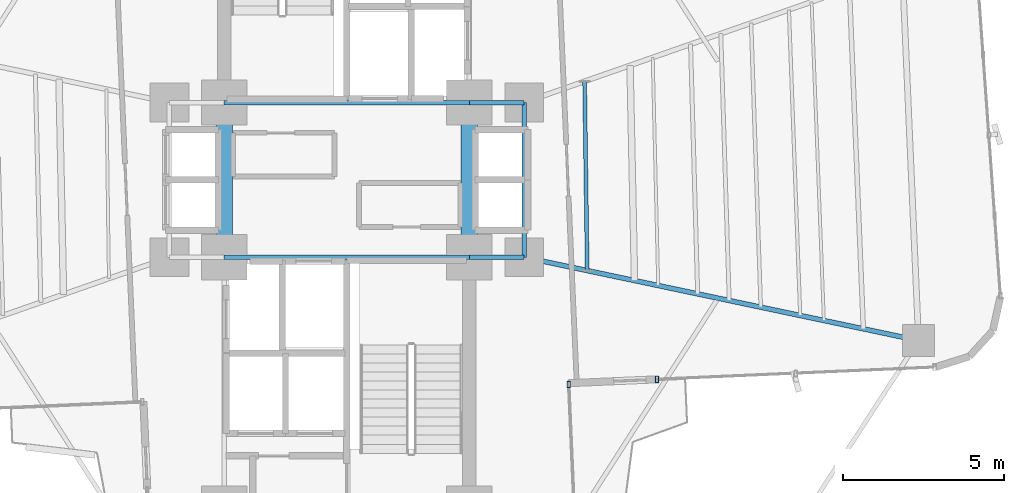
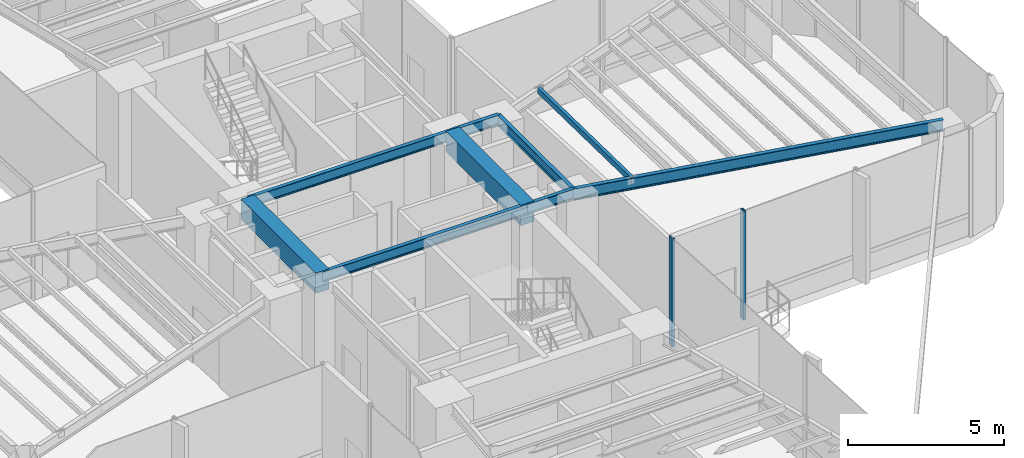
# One storey, part 6 of 21: 9 beams, 2 members, 2 elements without a shape of their own.
"""IFC4 building model written with IfcOpenShell, lengths in metres."""

from ifc_helpers import new_model, si_unit, direction, frame, origin, origin_2d, place, context, subcontext, project, spatial, rectangle, hollow_rectangle, i_section, extrude, source, transform, mapped, material, material_profile, profile_set, type_object, element, aggregate, save


model = new_model("IFC4")

# Units and contexts
model_context = context("Model", 3, precision=1e-05, world=origin(), true_north=direction((0.0, 1.0)))
body_context = subcontext(model_context, "Body", "Model", "MODEL_VIEW")
ifc_project = project(units=[si_unit("LENGTHUNIT", "METRE"), si_unit("AREAUNIT", "SQUARE_METRE"), si_unit("VOLUMEUNIT", "CUBIC_METRE"), si_unit("PLANEANGLEUNIT", "RADIAN"), si_unit("MASSUNIT", "GRAM", prefix="KILO")], contexts=[model_context])

# Site, building, storey
site_placement = place(None, origin())
site = spatial("IfcSite", under=ifc_project, at=site_placement, CompositionType="ELEMENT")
building_placement = place(site_placement, origin())
building = spatial("IfcBuilding", under=site, at=building_placement, Name="Sahyath Konkavel Grand Hotel", CompositionType="ELEMENT")
storey_placement = place(building_placement, frame((0.0, 0.0, 79.0)))
storey = spatial("IfcBuildingStorey", under=building, at=storey_placement, Name="L21", CompositionType="ELEMENT", Elevation=79.0)

# Beams
ifc_material_1 = material(Name="Steel E350", Category="steel")
ifc_material_profile_1 = material_profile(ifc_material_1, i_section(OverallWidth=0.139892578125, OverallDepth=0.39990234375, WebThickness=0.0087890625, FlangeThickness=0.01611328125, FilletRadius=0.013916015625, at=origin_2d()), Name="ISMB 400")
ifc_profile_set_1 = profile_set([ifc_material_profile_1], Name="Steel E350")
beam_type_1 = type_object("IfcBeamType", Name="BM-ISMB400", PredefinedType="BEAM", material=ifc_profile_set_1)
shared_shape_1 = source(origin(), body_context, "Body", "SweptSolid", [
    extrude(i_section(OverallWidth=0.139892578125, OverallDepth=0.39990234375, WebThickness=0.0087890625, FlangeThickness=0.01611328125, FilletRadius=0.013916015625, at=origin_2d()), origin(), (0.0, 0.0, 1.0), 7.60009765625),
])
for number, where, z_axis, x_axis, name in (
    (1, (-3.800048828125, 2.39990234375, 4.06005859375), (1.0, 0.0, 0.0), (0.0, 1.0, 0.0), "str:bm:L21:NC-S"),
    (2, (-3.800048828125, -2.39990234375, 4.06005859375), (1.0, 0.0, 0.0), (0.0, 1.0, 0.0), "str:bm:L21:SC-N"),
):
    element("IfcBeam", number, at=place(storey_placement, frame(where, z_axis=z_axis, x_axis=x_axis)), inside=storey, type_object=beam_type_1, Name=name, PredefinedType="BEAM", context=body_context, shape_type="MappedRepresentation", body=[
        mapped(shared_shape_1, transform((0.0, 0.0, 0.0), scale=1.0)),
    ])
shared_shape_2 = source(origin(), body_context, "Body", "SweptSolid", [
    extrude(i_section(OverallWidth=0.139892578125, OverallDepth=0.39990234375, WebThickness=0.0087890625, FlangeThickness=0.01611328125, FilletRadius=0.013916015625, at=origin_2d()), origin(), (0.0, 0.0, 1.0), 1.699951171875),
])
for number, where, z_axis, x_axis, name in (
    (3, (3.800048828125, 2.39990234375, 4.06005859375), (1.0, 0.0, 0.0), (0.0, 1.0, 0.0), "str:bm:L21:HB-NE"),
    (4, (3.800048828125, -2.39990234375, 4.06005859375), (1.0, 0.0, 0.0), (0.0, 1.0, 0.0), "str:bm:L21:HB-SE"),
):
    element("IfcBeam", number, at=place(storey_placement, frame(where, z_axis=z_axis, x_axis=x_axis)), inside=storey, type_object=beam_type_1, Name=name, PredefinedType="BEAM", context=body_context, shape_type="MappedRepresentation", body=[
        mapped(shared_shape_2, transform((0.0, 0.0, 0.0), scale=1.0)),
    ])
shared_shape_3 = source(origin(), body_context, "Body", "SweptSolid", [
    extrude(i_section(OverallWidth=0.139892578125, OverallDepth=0.39990234375, WebThickness=0.0087890625, FlangeThickness=0.01611328125, FilletRadius=0.013916015625, at=origin_2d()), origin(), (0.0, 0.0, 1.0), 4.7998046875),
])
beam_1_placement = place(storey_placement, frame((5.5, -2.39990234375, 4.06005859375), z_axis=(0.0, 1.0, 0.0), x_axis=(-1.0, 0.0, 0.0)))
element("IfcBeam", 5, at=beam_1_placement, inside=storey, type_object=beam_type_1, Name="str:bm:L21:HB-E", PredefinedType="BEAM", context=body_context, shape_type="MappedRepresentation", body=[
    mapped(shared_shape_3, transform((0.0, 0.0, 0.0), scale=1.0)),
])
ifc_material_2 = material(Name="Concrete C50/60", Category="concrete")
ifc_material_profile_2 = material_profile(ifc_material_2, rectangle(XDim=0.5, YDim=0.800048828125, at=origin_2d()), Name="RC 500x800")
ifc_profile_set_2 = profile_set([ifc_material_profile_2], Name="Concrete C50/60")
beam_type_2 = type_object("IfcBeamType", Name="BM-CB500x800", PredefinedType="LINTEL", material=ifc_profile_set_2)
shared_shape_4 = source(origin(), body_context, "Body", "SweptSolid", [
    extrude(rectangle(XDim=0.5, YDim=0.800048828125, at=origin_2d()), origin(), (0.0, 0.0, 1.0), 4.7998046875),
])
for number, where, z_axis, x_axis, name in (
    (6, (-3.800048828125, -2.39990234375, 3.860107421875), (0.0, 1.0, 0.0), (-1.0, 0.0, 0.0), "L21 Split-Core Coupling Beam West"),
    (7, (3.800048828125, -2.39990234375, 3.860107421875), (0.0, 1.0, 0.0), (-1.0, 0.0, 0.0), "L21 Split-Core Coupling Beam East"),
):
    element("IfcBeam", number, at=place(storey_placement, frame(where, z_axis=z_axis, x_axis=x_axis)), inside=storey, type_object=beam_type_2, Name=name, PredefinedType="LINTEL", context=body_context, shape_type="MappedRepresentation", body=[
        mapped(shared_shape_4, transform((0.0, 0.0, 0.0), scale=1.0)),
    ])
ifc_material_profile_3 = material_profile(ifc_material_1, i_section(OverallWidth=0.14990234375, OverallDepth=0.449951171875, WebThickness=0.009521484375, FlangeThickness=0.017333984375, FilletRadius=0.014892578125, at=origin_2d()), Name="ISMB 450")
ifc_profile_set_3 = profile_set([ifc_material_profile_3], Name="Steel E350")
beam_type_3 = type_object("IfcBeamType", Name="BM-ISMB450", PredefinedType="BEAM", material=ifc_profile_set_3)
shared_shape_5 = source(origin(), body_context, "Body", "SweptSolid", [
    extrude(i_section(OverallWidth=0.14990234375, OverallDepth=0.449951171875, WebThickness=0.009521484375, FlangeThickness=0.017333984375, FilletRadius=0.014892578125, at=origin_2d()), origin(), (0.0, 0.0, 1.0), 12.50341796875),
])
beam_2_placement = place(storey_placement, frame((5.5, -2.39990234375, 4.034912109375), z_axis=(0.978457911392, -0.206446398937, 0.0), x_axis=(0.206446398937, 0.978457911392, 0.0)))
element("IfcBeam", 8, at=beam_2_placement, inside=storey, type_object=beam_type_3, Name="L21 Cruciform Radial Girder EA", PredefinedType="BEAM", context=body_context, shape_type="MappedRepresentation", body=[
    mapped(shared_shape_5, transform((0.0, 0.0, 0.0), scale=1.0)),
])
ifc_material_profile_4 = material_profile(ifc_material_1, hollow_rectangle(XDim=0.1201171875, YDim=0.219970703125, WallThickness=0.010009765625, at=origin_2d()), Name="RHS 220x120x10")
ifc_profile_set_4 = profile_set([ifc_material_profile_4], Name="Steel E350")
beam_type_4 = type_object("IfcBeamType", Name="BM-RHS220", PredefinedType="BEAM", material=ifc_profile_set_4)
shared_shape_6 = source(origin(), body_context, "Body", "SweptSolid", [
    extrude(hollow_rectangle(XDim=0.1201171875, YDim=0.219970703125, WallThickness=0.010009765625, at=origin_2d()), origin(), (0.0, 0.0, 1.0), 5.870849609375),
])
beam_3_placement = place(storey_placement, frame((7.45751953125, -2.81298828125, 4.14990234375), z_axis=(-0.013681397685, 0.999906405299, 0.0), x_axis=(-0.999906405299, -0.013681397685, 0.0)))
element("IfcBeam", 9, at=beam_3_placement, inside=storey, type_object=beam_type_4, Name="L21 Composite Deck Sub-Beam E-1", PredefinedType="BEAM", context=body_context, shape_type="MappedRepresentation", body=[
    mapped(shared_shape_6, transform((0.0, 0.0, 0.0), scale=1.0)),
])

# Curtain wall, member
ifc_material_3 = material(Name="Anodised Bronze Aluminium & Low-E Glazing", Category="aluminium")
curtain_wall_type = type_object("IfcCurtainWallType", Name="CW-SKYLOBBY", PredefinedType="NOTDEFINED", material=ifc_material_3)
curtain_wall_1_placement = place(storey_placement, origin())
curtain_wall_1 = element("IfcCurtainWall", 10, at=curtain_wall_1_placement, inside=storey, type_object=curtain_wall_type, Name="L21 Unitised Curtain Wall F0", PredefinedType="NOTDEFINED")
ifc_material_4 = material(Name="Anodised Bronze Aluminium", Category="aluminium")
ifc_material_profile_5 = material_profile(ifc_material_4, hollow_rectangle(XDim=0.10009765625, YDim=0.199951171875, WallThickness=0.008056640625, at=origin_2d()), Name="RHS 200x100x8")
ifc_profile_set_5 = profile_set([ifc_material_profile_5], Name="Anodised Bronze Aluminium")
member_type = type_object("IfcMemberType", Name="CW-MUL-200", PredefinedType="MULLION", material=ifc_profile_set_5)
shared_shape_7 = source(origin(), body_context, "Body", "SweptSolid", [
    extrude(hollow_rectangle(XDim=0.10009765625, YDim=0.199951171875, WallThickness=0.008056640625, at=origin_2d()), origin(), (0.0, 0.0, 1.0), 4.260009765625),
])
member_1_placement = place(storey_placement, frame((9.618896484375, -6.186279296875, 0.0), z_axis=(0.0, 0.0, 1.0), x_axis=(1.0, 0.0, 0.0)))
member_1 = element("IfcMember", 11, at=member_1_placement, type_object=member_type, Name="L21 Curtain Wall Mullion F0-0", PredefinedType="MULLION", context=body_context, shape_type="MappedRepresentation", body=[
    mapped(shared_shape_7, transform((0.0, 0.0, 0.0), scale=1.0)),
])
aggregate(curtain_wall_1, [member_1])

curtain_wall_2_placement = place(storey_placement, origin())
curtain_wall_2 = element("IfcCurtainWall", 12, at=curtain_wall_2_placement, inside=storey, type_object=curtain_wall_type, Name="L21 Unitised Curtain Wall F31", PredefinedType="NOTDEFINED")
member_2_placement = place(storey_placement, frame((6.88330078125, -6.345703125, 0.0), z_axis=(0.0, 0.0, 1.0), x_axis=(1.0, 0.0, 0.0)))
member_2 = element("IfcMember", 13, at=member_2_placement, type_object=member_type, Name="L21 Curtain Wall Mullion F31-2", PredefinedType="MULLION", context=body_context, shape_type="MappedRepresentation", body=[
    mapped(shared_shape_7, transform((0.0, 0.0, 0.0), scale=1.0)),
])
aggregate(curtain_wall_2, [member_2])

save(model, "model.ifc")
